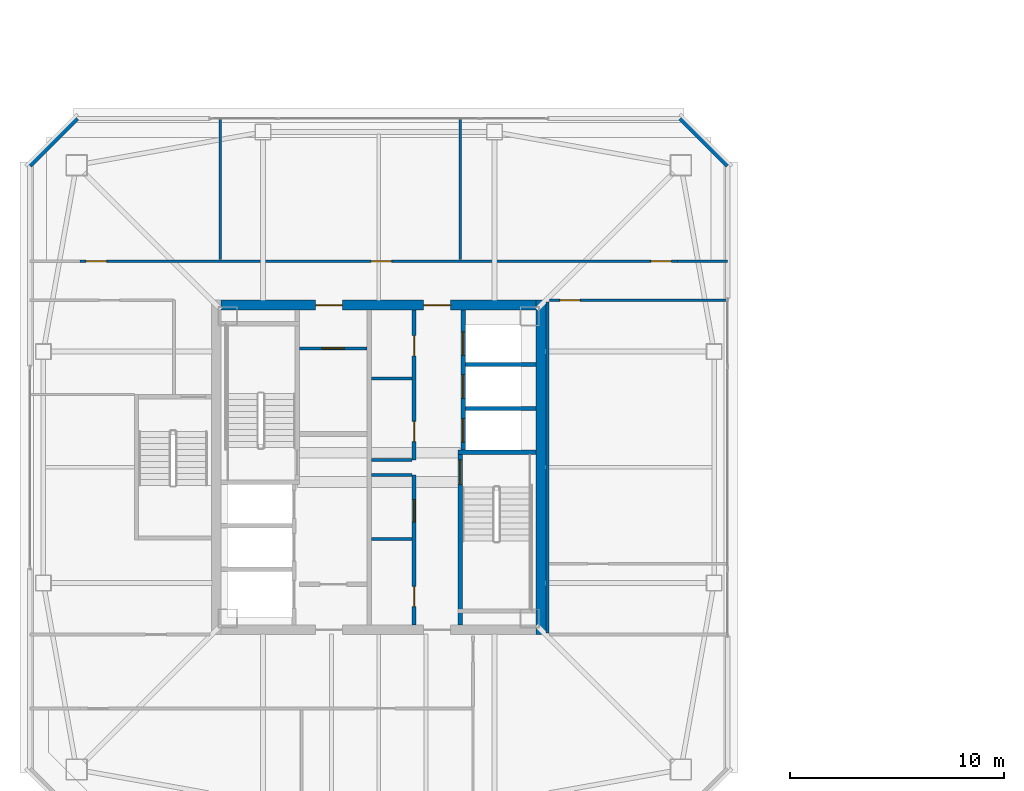
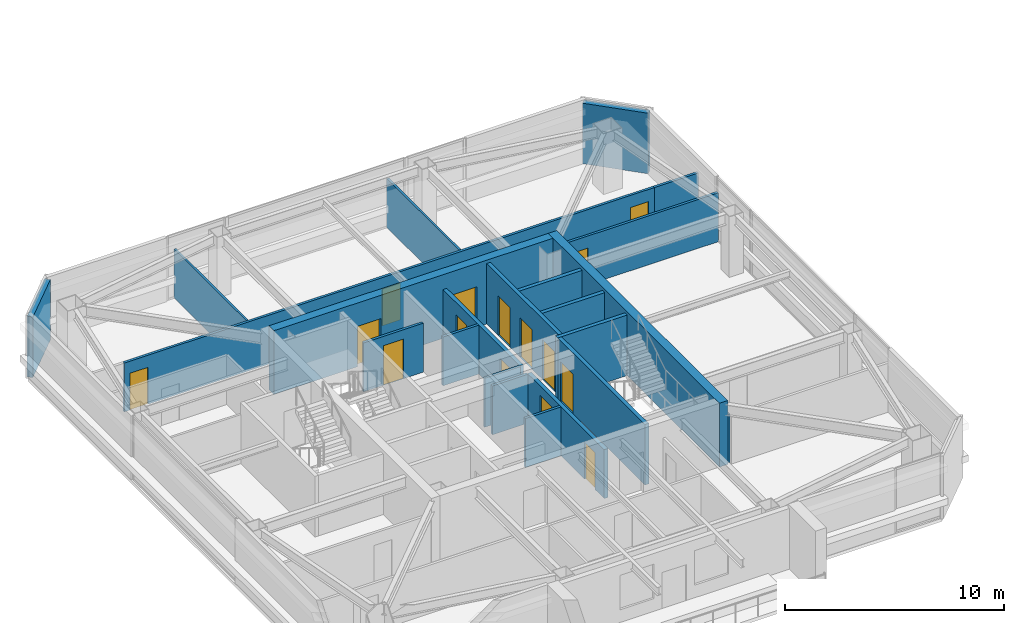
# One storey, part 30 of 40: 22 walls, 15 doors, 15 openings.
"""IFC4 building model written with IfcOpenShell, lengths in metres."""

from ifc_helpers import new_model, si_unit, direction, frame, frame_2d, origin, place, context, subcontext, project, spatial, rectangle, extrude, material, layer, layer_set, type_object, element, fill, save


model = new_model("IFC4")

# Units and contexts
model_context = context("Model", 3, precision=1e-05, world=origin(), true_north=direction((0.0, 1.0)))
body_context = subcontext(model_context, "Body", "Model", "MODEL_VIEW")
ifc_project = project(units=[si_unit("LENGTHUNIT", "METRE"), si_unit("AREAUNIT", "SQUARE_METRE"), si_unit("VOLUMEUNIT", "CUBIC_METRE"), si_unit("PLANEANGLEUNIT", "RADIAN"), si_unit("MASSUNIT", "GRAM", prefix="KILO")], contexts=[model_context])

# Site, building, storey
site_placement = place(None, origin())
site = spatial("IfcSite", under=ifc_project, at=site_placement, CompositionType="ELEMENT")
building_placement = place(site_placement, origin())
building = spatial("IfcBuilding", under=site, at=building_placement, Name="Tashvorn Skyway Center", CompositionType="ELEMENT")
storey_placement = place(building_placement, frame((0.0, 0.0, 221.949951171875)))
storey = spatial("IfcBuildingStorey", under=building, at=storey_placement, Name="L60", CompositionType="ELEMENT", Elevation=221.949951171875)

# Wall
ifc_material_1 = material(Name="Concrete C50/60", Category="concrete")
ifc_layer_1 = layer(ifc_material_1, 0.449951171875)
ifc_layer_set_1 = layer_set([ifc_layer_1], Name="Concrete C50/60")
wall_type_1 = type_object("IfcWallType", Name="WALL-CORE-450", PredefinedType="SHEAR", material=ifc_layer_set_1)
wall_1_placement = place(storey_placement, frame((49.574951171875, 39.800048828125, 0.0), z_axis=(0.0, 0.0, 1.0), x_axis=(0.0, -1.0, 0.0)))
element("IfcWall", 1, at=wall_1_placement, inside=storey, type_object=wall_type_1, Name="Tower 1 L60 East Core Shear Wall", PredefinedType="SHEAR", context=body_context, shape_type="SweptSolid", body=[
    extrude(rectangle(XDim=15.60009765625, YDim=0.449951171875, at=frame_2d((7.800048828125, 0.0))), origin(), (0.0, 0.0, 1.0), 3.550048828125),
])

# Wall, openings, doors
wall_2_placement = place(storey_placement, frame((34.64990234375, 39.574951171875, 0.0), z_axis=(0.0, 0.0, 1.0), x_axis=(1.0, 0.0, 0.0)))
wall_2 = element("IfcWall", 2, at=wall_2_placement, inside=storey, type_object=wall_type_1, Name="Tower 1 L60 North Core Shear Wall", PredefinedType="SHEAR", context=body_context, shape_type="SweptSolid", body=[
    extrude(rectangle(XDim=14.7001953125, YDim=0.449951171875, at=frame_2d((7.35009765625, 0.0))), origin(), (0.0, 0.0, 1.0), 3.550048828125),
])
opening_1_placement = place(wall_2_placement, frame((4.39990234375, 0.0, 0.0)))
opening_1 = element("IfcOpeningElement", 3, at=opening_1_placement, cuts=wall_2, Name="Opening D-FFL-1250", PredefinedType="OPENING", context=body_context, shape_type="SweptSolid", body=[
    extrude(rectangle(XDim=1.25, YDim=2.25, at=frame_2d((0.625, 1.125))), frame((0.0, 0.23486328125, 0.0), z_axis=(0.0, -1.0, 0.0), x_axis=(1.0, 0.0, 0.0)), (0.0, 0.0, 1.0), 0.469970703125),
])
opening_2_placement = place(wall_2_placement, frame((9.449951171875, 0.0, 0.0)))
opening_2 = element("IfcOpeningElement", 4, at=opening_2_placement, cuts=wall_2, Name="Opening D-FFL-1250", PredefinedType="OPENING", context=body_context, shape_type="SweptSolid", body=[
    extrude(rectangle(XDim=1.25, YDim=2.25, at=frame_2d((0.625, 1.125))), frame((0.0, 0.23486328125, 0.0), z_axis=(0.0, -1.0, 0.0), x_axis=(1.0, 0.0, 0.0)), (0.0, 0.0, 1.0), 0.469970703125),
])
ifc_material_2 = material(Name="Hollow galvanized steel fire door assembly", Category="steel")
door_type_1 = type_object("IfcDoorType", Name="DOOR-FFL-1250", OperationType="NOTDEFINED", PredefinedType="DOOR", material=ifc_material_2)
door_1_placement = place(opening_1_placement, origin())
door_1 = element("IfcDoor", 5, at=door_1_placement, inside=storey, type_object=door_type_1, Name="Tower 1 L60 Core North Service Lobby Door", OperationType="SINGLE_SWING_LEFT", OverallHeight=2.25, OverallWidth=1.25, PredefinedType="DOOR", context=body_context, shape_type="SweptSolid", body=[
    extrude(rectangle(XDim=1.25, YDim=2.25, at=frame_2d((0.625, 1.125))), frame((0.0, 0.02490234375, 0.0), z_axis=(0.0, -1.0, 0.0), x_axis=(1.0, 0.0, 0.0)), (0.0, 0.0, 1.0), 0.050048828125),
])
fill(opening_1, door_1)
door_2_placement = place(opening_2_placement, origin())
door_2 = element("IfcDoor", 6, at=door_2_placement, inside=storey, type_object=door_type_1, Name="Tower 1 L60 Core North Lift Lobby Door", OperationType="SINGLE_SWING_RIGHT", OverallHeight=2.25, OverallWidth=1.25, PredefinedType="DOOR", context=body_context, shape_type="SweptSolid", body=[
    extrude(rectangle(XDim=1.25, YDim=2.25, at=frame_2d((0.625, 1.125))), frame((0.0, 0.02490234375, 0.0), z_axis=(0.0, -1.0, 0.0), x_axis=(1.0, 0.0, 0.0)), (0.0, 0.0, 1.0), 0.050048828125),
])
fill(opening_2, door_2)

# Walls
ifc_material_3 = material(Name="Precast concrete C40/50", Category="concrete")
ifc_layer_2 = layer(ifc_material_3, 0.280029296875)
ifc_layer_set_2 = layer_set([ifc_layer_2], Name="Precast concrete C40/50")
wall_type_2 = type_object("IfcWallType", Name="WALL-EXT-280", PredefinedType="SOLIDWALL", material=ifc_layer_set_2)
for number, where, z_axis, x_axis, name in (
    (7, (25.699951171875, 46.10009765625, 0.0), (0.0, 0.0, 1.0), (0.707106781187, 0.707106781187, 0.0), "Tower 1 L60 NW Precast Chamfer Wall"),
    (8, (56.10009765625, 48.300048828125, 0.0), (0.0, 0.0, 1.0), (0.707106781187, -0.707106781187, 0.0), "Tower 1 L60 NE Precast Chamfer Wall"),
):
    element("IfcWall", number, at=place(storey_placement, frame(where, z_axis=z_axis, x_axis=x_axis)), inside=storey, type_object=wall_type_2, Name=name, PredefinedType="SOLIDWALL", context=body_context, shape_type="SweptSolid", body=[
        extrude(rectangle(XDim=3.111083984375, YDim=0.280029296875, at=frame_2d((1.5556640625, 0.0))), origin(), (0.0, 0.0, 1.0), 3.3701171875),
    ])
ifc_material_4 = material(Name="Gypsum board on cold-formed steel stud framing", Category="steel")
ifc_layer_3 = layer(ifc_material_4, 0.110107421875)
ifc_layer_set_3 = layer_set([ifc_layer_3], Name="Gypsum board on cold-formed steel stud framing")
wall_type_3 = type_object("IfcWallType", Name="WALL-PART-110", PredefinedType="PARTITIONING", material=ifc_layer_set_3)
for number, where, z_axis, x_axis, name in (
    (9, (34.60009765625, 41.699951171875, 0.0), (0.0, 0.0, 1.0), (0.0, 1.0, 0.0), "Tower 1 L60 North Suite Partition 1"),
    (10, (45.800048828125, 41.699951171875, 0.0), (0.0, 0.0, 1.0), (0.0, 1.0, 0.0), "Tower 1 L60 North Suite Partition 2"),
):
    element("IfcWall", number, at=place(storey_placement, frame(where, z_axis=z_axis, x_axis=x_axis)), inside=storey, type_object=wall_type_3, Name=name, PredefinedType="PARTITIONING", context=body_context, shape_type="SweptSolid", body=[
        extrude(rectangle(XDim=6.580078125, YDim=0.110107421875, at=frame_2d((3.2900390625, 0.0))), origin(), (0.0, 0.0, 1.0), 2.72314453125),
    ])

# Wall, openings, doors
ifc_layer_4 = layer(ifc_material_4, 0.135009765625)
ifc_layer_set_4 = layer_set([ifc_layer_4], Name="Gypsum board on cold-formed steel stud framing")
wall_type_4 = type_object("IfcWallType", Name="WALL-PART-135", PredefinedType="PARTITIONING", material=ifc_layer_set_4)
wall_3_placement = place(storey_placement, frame((28.050048828125, 41.6201171875, 0.0), z_axis=(0.0, 0.0, 1.0), x_axis=(1.0, 0.0, 0.0)))
wall_3 = element("IfcWall", 11, at=wall_3_placement, inside=storey, type_object=wall_type_4, Name="Tower 1 L60 North Suite Wall", PredefinedType="PARTITIONING", context=body_context, shape_type="SweptSolid", body=[
    extrude(rectangle(XDim=27.89990234375, YDim=0.135009765625, at=frame_2d((13.949951171875, 0.0))), origin(), (0.0, 0.0, 1.0), 2.72314453125),
])
opening_3_placement = place(wall_3_placement, frame((0.300048828125, 0.0, 0.0)))
opening_3 = element("IfcOpeningElement", 12, at=opening_3_placement, cuts=wall_3, Name="Opening D-INT-950", PredefinedType="OPENING", context=body_context, shape_type="SweptSolid", body=[
    extrude(rectangle(XDim=0.949951171875, YDim=2.050048828125, at=frame_2d((0.47509765625, 1.02490234375))), frame((0.0, 0.077392578125, 0.0), z_axis=(0.0, -1.0, 0.0), x_axis=(1.0, 0.0, 0.0)), (0.0, 0.0, 1.0), 0.155029296875),
])
opening_4_placement = place(wall_3_placement, frame((13.5986328125, 0.0, 0.0)))
opening_4 = element("IfcOpeningElement", 13, at=opening_4_placement, cuts=wall_3, Name="Opening D-INT-950", PredefinedType="OPENING", context=body_context, shape_type="SweptSolid", body=[
    extrude(rectangle(XDim=0.949951171875, YDim=2.050048828125, at=frame_2d((0.47509765625, 1.02490234375))), frame((0.0, 0.077392578125, 0.0), z_axis=(0.0, -1.0, 0.0), x_axis=(1.0, 0.0, 0.0)), (0.0, 0.0, 1.0), 0.155029296875),
])
opening_5_placement = place(wall_3_placement, frame((26.64990234375, 0.0, 0.0)))
opening_5 = element("IfcOpeningElement", 14, at=opening_5_placement, cuts=wall_3, Name="Opening D-INT-950", PredefinedType="OPENING", context=body_context, shape_type="SweptSolid", body=[
    extrude(rectangle(XDim=0.949951171875, YDim=2.050048828125, at=frame_2d((0.47509765625, 1.02490234375))), frame((0.0, 0.077392578125, 0.0), z_axis=(0.0, -1.0, 0.0), x_axis=(1.0, 0.0, 0.0)), (0.0, 0.0, 1.0), 0.155029296875),
])
ifc_material_5 = material(Name="Solid-core architectural oak veneer door")
door_type_2 = type_object("IfcDoorType", Name="DOOR-INT-950", OperationType="NOTDEFINED", PredefinedType="DOOR", material=ifc_material_5)
door_3_placement = place(opening_3_placement, origin())
door_3 = element("IfcDoor", 15, at=door_3_placement, inside=storey, type_object=door_type_2, Name="Tower 1 L60 Open Plan Office Door", OperationType="SINGLE_SWING_LEFT", OverallHeight=2.050048828125, OverallWidth=0.949951171875, PredefinedType="DOOR", context=body_context, shape_type="SweptSolid", body=[
    extrude(rectangle(XDim=0.949951171875, YDim=2.050048828125, at=frame_2d((0.47509765625, 1.02490234375))), frame((0.0, 0.02490234375, 0.0), z_axis=(0.0, -1.0, 0.0), x_axis=(1.0, 0.0, 0.0)), (0.0, 0.0, 1.0), 0.050048828125),
])
fill(opening_3, door_3)
door_4_placement = place(opening_4_placement, origin())
door_4 = element("IfcDoor", 16, at=door_4_placement, inside=storey, type_object=door_type_2, Name="Tower 1 L60 Open Plan Office Door", OperationType="SINGLE_SWING_RIGHT", OverallHeight=2.050048828125, OverallWidth=0.949951171875, PredefinedType="DOOR", context=body_context, shape_type="SweptSolid", body=[
    extrude(rectangle(XDim=0.949951171875, YDim=2.050048828125, at=frame_2d((0.47509765625, 1.02490234375))), frame((0.0, 0.02490234375, 0.0), z_axis=(0.0, -1.0, 0.0), x_axis=(1.0, 0.0, 0.0)), (0.0, 0.0, 1.0), 0.050048828125),
])
fill(opening_4, door_4)
door_5_placement = place(opening_5_placement, origin())
door_5 = element("IfcDoor", 17, at=door_5_placement, inside=storey, type_object=door_type_2, Name="Tower 1 L60 Design Studio Door", OperationType="SINGLE_SWING_LEFT", OverallHeight=2.050048828125, OverallWidth=0.949951171875, PredefinedType="DOOR", context=body_context, shape_type="SweptSolid", body=[
    extrude(rectangle(XDim=0.949951171875, YDim=2.050048828125, at=frame_2d((0.47509765625, 1.02490234375))), frame((0.0, 0.02490234375, 0.0), z_axis=(0.0, -1.0, 0.0), x_axis=(1.0, 0.0, 0.0)), (0.0, 0.0, 1.0), 0.050048828125),
])
fill(opening_5, door_5)

# Walls
wall_4_placement = place(storey_placement, frame((55.949951171875, 41.6201171875, 0.0), z_axis=(0.0, 0.0, 1.0), x_axis=(1.0, 0.0, 0.0)))
element("IfcWall", 18, at=wall_4_placement, inside=storey, type_object=wall_type_4, Name="Tower 1 L60 North-East Suite South Wall", PredefinedType="PARTITIONING", context=body_context, shape_type="SweptSolid", body=[
    extrude(rectangle(XDim=2.330078125, YDim=0.135009765625, at=frame_2d((1.1650390625, 0.0))), origin(), (0.0, 0.0, 1.0), 2.72314453125),
])
wall_5_placement = place(storey_placement, frame((49.8798828125, 39.719970703125, 0.0), z_axis=(0.0, 0.0, 1.0), x_axis=(0.0, -1.0, 0.0)))
element("IfcWall", 19, at=wall_5_placement, inside=storey, type_object=wall_type_4, Name="Tower 1 L60 East Inner Suite Wall", PredefinedType="PARTITIONING", context=body_context, shape_type="SweptSolid", body=[
    extrude(rectangle(XDim=15.43994140625, YDim=0.135009765625, at=frame_2d((7.719970703125, 0.0))), origin(), (0.0, 0.0, 1.0), 2.72314453125),
])

# Wall, opening, door
wall_6_placement = place(storey_placement, frame((58.280029296875, 39.800048828125, 0.0), z_axis=(0.0, 0.0, 1.0), x_axis=(-1.0, 0.0, 0.0)))
wall_6 = element("IfcWall", 20, at=wall_6_placement, inside=storey, type_object=wall_type_4, Name="Tower 1 L60 East Suite North Wall", PredefinedType="PARTITIONING", context=body_context, shape_type="SweptSolid", body=[
    extrude(rectangle(XDim=8.320068359375, YDim=0.135009765625, at=frame_2d((4.16015625, 0.0))), origin(), (0.0, 0.0, 1.0), 2.72314453125),
])
opening_6_placement = place(wall_6_placement, frame((6.8798828125, 0.0, 0.0)))
opening_6 = element("IfcOpeningElement", 21, at=opening_6_placement, cuts=wall_6, Name="Opening D-INT-950", PredefinedType="OPENING", context=body_context, shape_type="SweptSolid", body=[
    extrude(rectangle(XDim=0.949951171875, YDim=2.050048828125, at=frame_2d((0.47509765625, 1.02490234375))), frame((0.0, 0.077392578125, 0.0), z_axis=(0.0, -1.0, 0.0), x_axis=(1.0, 0.0, 0.0)), (0.0, 0.0, 1.0), 0.155029296875),
])
door_6_placement = place(opening_6_placement, origin())
door_6 = element("IfcDoor", 22, at=door_6_placement, inside=storey, type_object=door_type_2, Name="Tower 1 L60 Executive Study Lounge Door", OperationType="SINGLE_SWING_LEFT", OverallHeight=2.050048828125, OverallWidth=0.949951171875, PredefinedType="DOOR", context=body_context, shape_type="SweptSolid", body=[
    extrude(rectangle(XDim=0.949951171875, YDim=2.050048828125, at=frame_2d((0.47509765625, 1.02490234375))), frame((0.0, 0.02490234375, 0.0), z_axis=(0.0, -1.0, 0.0), x_axis=(1.0, 0.0, 0.0)), (0.0, 0.0, 1.0), 0.050048828125),
])
fill(opening_6, door_6)

ifc_layer_5 = layer(ifc_material_4, 0.135009765625)
ifc_layer_set_5 = layer_set([ifc_layer_5], Name="Gypsum board on cold-formed steel stud framing")
wall_type_5 = type_object("IfcWallType", Name="WALL-RATED-135", PredefinedType="PARTITIONING", material=ifc_layer_set_5)
wall_7_placement = place(storey_placement, frame((38.300048828125, 37.550048828125, 0.0), z_axis=(0.0, 0.0, 1.0), x_axis=(1.0, 0.0, 0.0)))
wall_7 = element("IfcWall", 23, at=wall_7_placement, inside=storey, type_object=wall_type_5, Name="Tower 1 L60 Core Service Lobby Wall", PredefinedType="PARTITIONING", context=body_context, shape_type="SweptSolid", body=[
    extrude(rectangle(XDim=3.14990234375, YDim=0.135009765625, at=frame_2d((1.574951171875, 0.0))), origin(), (0.0, 0.0, 1.0), 2.72314453125),
])
opening_7_placement = place(wall_7_placement, frame((1.050048828125, 0.0, 0.0)))
opening_7 = element("IfcOpeningElement", 24, at=opening_7_placement, cuts=wall_7, Name="Opening D-RT-1050", PredefinedType="OPENING", context=body_context, shape_type="SweptSolid", body=[
    extrude(rectangle(XDim=1.050048828125, YDim=2.199951171875, at=frame_2d((0.52490234375, 1.10009765625))), frame((0.0, 0.077392578125, 0.0), z_axis=(0.0, -1.0, 0.0), x_axis=(1.0, 0.0, 0.0)), (0.0, 0.0, 1.0), 0.155029296875),
])
door_type_3 = type_object("IfcDoorType", Name="DOOR-RATED-1050", OperationType="NOTDEFINED", PredefinedType="DOOR", material=ifc_material_2)
door_7_placement = place(opening_7_placement, origin())
door_7 = element("IfcDoor", 25, at=door_7_placement, inside=storey, type_object=door_type_3, Name="Tower 1 L60 Core Accessible WC Door", OperationType="SINGLE_SWING_LEFT", OverallHeight=2.199951171875, OverallWidth=1.050048828125, PredefinedType="DOOR", context=body_context, shape_type="SweptSolid", body=[
    extrude(rectangle(XDim=1.050048828125, YDim=2.199951171875, at=frame_2d((0.52490234375, 1.10009765625))), frame((0.0, 0.02490234375, 0.0), z_axis=(0.0, -1.0, 0.0), x_axis=(1.0, 0.0, 0.0)), (0.0, 0.0, 1.0), 0.050048828125),
])
fill(opening_7, door_7)

# Walls
for number, where, z_axis, x_axis, name in (
    (26, (41.669921875, 31.64990234375, 0.0), (0.0, 0.0, 1.0), (1.0, 0.0, 0.0), "Tower 1 L60 Core Room Partition"),
    (27, (41.669921875, 28.64990234375, 0.0), (0.0, 0.0, 1.0), (1.0, 0.0, 0.0), "Tower 1 L60 Freed Core Partition"),
    (28, (41.669921875, 32.35009765625, 0.0), (0.0, 0.0, 1.0), (1.0, 0.0, 0.0), "Tower 1 L60 Core Room Partition"),
    (29, (41.669921875, 36.14990234375, 0.0), (0.0, 0.0, 1.0), (1.0, 0.0, 0.0), "Tower 1 L60 Freed Mid-Rise Partition"),
):
    element("IfcWall", number, at=place(storey_placement, frame(where, z_axis=z_axis, x_axis=x_axis)), inside=storey, type_object=wall_type_5, Name=name, PredefinedType="PARTITIONING", context=body_context, shape_type="SweptSolid", body=[
        extrude(rectangle(XDim=1.880126953125, YDim=0.135009765625, at=frame_2d((0.93994140625, 0.0))), origin(), (0.0, 0.0, 1.0), 2.72314453125),
    ])
ifc_material_6 = material(Name="Concrete C40/50", Category="concrete")
ifc_layer_6 = layer(ifc_material_6, 0.199951171875)
ifc_layer_set_6 = layer_set([ifc_layer_6], Name="Concrete C40/50")
wall_type_6 = type_object("IfcWallType", Name="WALL-SHAFT-200", PredefinedType="SOLIDWALL", material=ifc_layer_set_6)
for number, where, z_axis, x_axis, name in (
    (30, (46.050048828125, 34.75, 0.0), (0.0, 0.0, 1.0), (1.0, 0.0, 0.0), "Tower 1 L60 High-Rise Shaft Divider"),
    (31, (46.050048828125, 36.800048828125, 0.0), (0.0, 0.0, 1.0), (1.0, 0.0, 0.0), "Tower 1 L60 High-Rise Shaft Divider"),
):
    element("IfcWall", number, at=place(storey_placement, frame(where, z_axis=z_axis, x_axis=x_axis)), inside=storey, type_object=wall_type_6, Name=name, PredefinedType="SOLIDWALL", context=body_context, shape_type="SweptSolid", body=[
        extrude(rectangle(XDim=3.300048828125, YDim=0.199951171875, at=frame_2d((1.64990234375, 0.0))), origin(), (0.0, 0.0, 1.0), 3.3701171875),
    ])

# Wall, openings, doors
wall_8_placement = place(storey_placement, frame((43.64990234375, 24.64990234375, 0.0), z_axis=(0.0, 0.0, 1.0), x_axis=(0.0, 1.0, 0.0)))
wall_8 = element("IfcWall", 32, at=wall_8_placement, inside=storey, type_object=wall_type_6, Name="Tower 1 L60 Low-Rise Core Wall", PredefinedType="SOLIDWALL", context=body_context, shape_type="SweptSolid", body=[
    extrude(rectangle(XDim=7.0, YDim=0.199951171875, at=frame_2d((3.5, 0.0))), origin(), (0.0, 0.0, 1.0), 2.72314453125),
])
opening_8_placement = place(wall_8_placement, frame((0.85009765625, 0.0, 0.0)))
opening_8 = element("IfcOpeningElement", 33, at=opening_8_placement, cuts=wall_8, Name="Opening D-RT-950", PredefinedType="OPENING", context=body_context, shape_type="SweptSolid", body=[
    extrude(rectangle(XDim=0.949951171875, YDim=2.050048828125, at=frame_2d((0.47509765625, 1.02490234375))), frame((0.0, 0.10986328125, 0.0), z_axis=(0.0, -1.0, 0.0), x_axis=(1.0, 0.0, 0.0)), (0.0, 0.0, 1.0), 0.219970703125),
])
opening_9_placement = place(wall_8_placement, frame((4.800048828125, 0.0, 0.0)))
opening_9 = element("IfcOpeningElement", 34, at=opening_9_placement, cuts=wall_8, Name="Opening D-RT-1050", PredefinedType="OPENING", context=body_context, shape_type="SweptSolid", body=[
    extrude(rectangle(XDim=1.050048828125, YDim=2.199951171875, at=frame_2d((0.52490234375, 1.10009765625))), frame((0.0, 0.10986328125, 0.0), z_axis=(0.0, -1.0, 0.0), x_axis=(1.0, 0.0, 0.0)), (0.0, 0.0, 1.0), 0.219970703125),
])
door_8_placement = place(opening_9_placement, origin())
door_8 = element("IfcDoor", 35, at=door_8_placement, inside=storey, type_object=door_type_3, Name="Tower 1 L60 Freed Core Room Door", OperationType="SINGLE_SWING_RIGHT", OverallHeight=2.199951171875, OverallWidth=1.050048828125, PredefinedType="DOOR", context=body_context, shape_type="SweptSolid", body=[
    extrude(rectangle(XDim=1.050048828125, YDim=2.199951171875, at=frame_2d((0.52490234375, 1.10009765625))), frame((0.0, 0.02490234375, 0.0), z_axis=(0.0, -1.0, 0.0), x_axis=(1.0, 0.0, 0.0)), (0.0, 0.0, 1.0), 0.050048828125),
])
fill(opening_9, door_8)
door_type_4 = type_object("IfcDoorType", Name="DOOR-RATED-950", OperationType="NOTDEFINED", PredefinedType="DOOR", material=ifc_material_2)
door_9_placement = place(opening_8_placement, origin())
door_9 = element("IfcDoor", 36, at=door_9_placement, inside=storey, type_object=door_type_4, Name="Tower 1 L60 Core Print Room Door", OperationType="SINGLE_SWING_LEFT", OverallHeight=2.050048828125, OverallWidth=0.949951171875, PredefinedType="DOOR", context=body_context, shape_type="SweptSolid", body=[
    extrude(rectangle(XDim=0.949951171875, YDim=2.050048828125, at=frame_2d((0.47509765625, 1.02490234375))), frame((0.0, 0.02490234375, 0.0), z_axis=(0.0, -1.0, 0.0), x_axis=(1.0, 0.0, 0.0)), (0.0, 0.0, 1.0), 0.050048828125),
])
fill(opening_8, door_9)

wall_9_placement = place(storey_placement, frame((43.64990234375, 32.35009765625, 0.0), z_axis=(0.0, 0.0, 1.0), x_axis=(0.0, 1.0, 0.0)))
wall_9 = element("IfcWall", 37, at=wall_9_placement, inside=storey, type_object=wall_type_6, Name="Tower 1 L60 Mid-Rise Core Wall", PredefinedType="SOLIDWALL", context=body_context, shape_type="SweptSolid", body=[
    extrude(rectangle(XDim=7.0, YDim=0.199951171875, at=frame_2d((3.5, 0.0))), origin(), (0.0, 0.0, 1.0), 2.72314453125),
])
opening_10_placement = place(wall_9_placement, frame((0.85009765625, 0.0, 0.0)))
opening_10 = element("IfcOpeningElement", 38, at=opening_10_placement, cuts=wall_9, Name="Opening D-RT-950", PredefinedType="OPENING", context=body_context, shape_type="SweptSolid", body=[
    extrude(rectangle(XDim=0.949951171875, YDim=2.050048828125, at=frame_2d((0.47509765625, 1.02490234375))), frame((0.0, 0.10986328125, 0.0), z_axis=(0.0, -1.0, 0.0), x_axis=(1.0, 0.0, 0.0)), (0.0, 0.0, 1.0), 0.219970703125),
])
opening_11_placement = place(wall_9_placement, frame((4.85009765625, 0.0, 0.0)))
opening_11 = element("IfcOpeningElement", 39, at=opening_11_placement, cuts=wall_9, Name="Opening D-RT-950", PredefinedType="OPENING", context=body_context, shape_type="SweptSolid", body=[
    extrude(rectangle(XDim=0.949951171875, YDim=2.050048828125, at=frame_2d((0.47509765625, 1.02490234375))), frame((0.0, 0.10986328125, 0.0), z_axis=(0.0, -1.0, 0.0), x_axis=(1.0, 0.0, 0.0)), (0.0, 0.0, 1.0), 0.219970703125),
])
door_10_placement = place(opening_10_placement, origin())
door_10 = element("IfcDoor", 40, at=door_10_placement, inside=storey, type_object=door_type_4, Name="Tower 1 L60 Core IT Room Door", OperationType="SINGLE_SWING_RIGHT", OverallHeight=2.050048828125, OverallWidth=0.949951171875, PredefinedType="DOOR", context=body_context, shape_type="SweptSolid", body=[
    extrude(rectangle(XDim=0.949951171875, YDim=2.050048828125, at=frame_2d((0.47509765625, 1.02490234375))), frame((0.0, 0.02490234375, 0.0), z_axis=(0.0, -1.0, 0.0), x_axis=(1.0, 0.0, 0.0)), (0.0, 0.0, 1.0), 0.050048828125),
])
fill(opening_10, door_10)
door_11_placement = place(opening_11_placement, origin())
door_11 = element("IfcDoor", 41, at=door_11_placement, inside=storey, type_object=door_type_4, Name="Tower 1 L60 Core Catering Pantry Door", OperationType="SINGLE_SWING_LEFT", OverallHeight=2.050048828125, OverallWidth=0.949951171875, PredefinedType="DOOR", context=body_context, shape_type="SweptSolid", body=[
    extrude(rectangle(XDim=0.949951171875, YDim=2.050048828125, at=frame_2d((0.47509765625, 1.02490234375))), frame((0.0, 0.02490234375, 0.0), z_axis=(0.0, -1.0, 0.0), x_axis=(1.0, 0.0, 0.0)), (0.0, 0.0, 1.0), 0.050048828125),
])
fill(opening_11, door_11)

# Wall, opening, door
ifc_layer_7 = layer(ifc_material_6, 0.199951171875)
ifc_layer_set_7 = layer_set([ifc_layer_7], Name="Concrete C40/50")
wall_type_7 = type_object("IfcWallType", Name="WALL-STSHF-200", PredefinedType="SHEAR", material=ifc_layer_set_7)
wall_10_placement = place(storey_placement, frame((45.800048828125, 32.800048828125, 0.0), z_axis=(0.0, 0.0, 1.0), x_axis=(0.0, -1.0, 0.0)))
wall_10 = element("IfcWall", 42, at=wall_10_placement, inside=storey, type_object=wall_type_7, Name="Tower 1 L60 Stair 2 Enclosure Wall", PredefinedType="SHEAR", context=body_context, shape_type="SweptSolid", body=[
    extrude(rectangle(XDim=8.150146484375, YDim=0.199951171875, at=frame_2d((4.0751953125, 0.0))), origin(), (0.0, 0.0, 1.0), 3.3701171875),
])
opening_12_placement = place(wall_10_placement, frame((0.449951171875, 0.0, 0.0)))
opening_12 = element("IfcOpeningElement", 43, at=opening_12_placement, cuts=wall_10, Name="Opening D-ST-1150", PredefinedType="OPENING", context=body_context, shape_type="SweptSolid", body=[
    extrude(rectangle(XDim=1.14990234375, YDim=2.199951171875, at=frame_2d((0.574951171875, 1.10009765625))), frame((0.0, 0.10986328125, 0.0), z_axis=(0.0, -1.0, 0.0), x_axis=(1.0, 0.0, 0.0)), (0.0, 0.0, 1.0), 0.219970703125),
])
door_type_5 = type_object("IfcDoorType", Name="DOOR-STAIR-1150", OperationType="NOTDEFINED", PredefinedType="DOOR", material=ifc_material_2)
door_12_placement = place(opening_12_placement, origin())
door_12 = element("IfcDoor", 44, at=door_12_placement, inside=storey, type_object=door_type_5, Name="Tower 1 L60 Exit Stair 2 Door", OperationType="SINGLE_SWING_RIGHT", OverallHeight=2.199951171875, OverallWidth=1.14990234375, PredefinedType="DOOR", context=body_context, shape_type="SweptSolid", body=[
    extrude(rectangle(XDim=1.14990234375, YDim=2.199951171875, at=frame_2d((0.574951171875, 1.10009765625))), frame((0.0, 0.02490234375, 0.0), z_axis=(0.0, -1.0, 0.0), x_axis=(1.0, 0.0, 0.0)), (0.0, 0.0, 1.0), 0.050048828125),
])
fill(opening_12, door_12)

# Wall
wall_11_placement = place(storey_placement, frame((45.699951171875, 32.699951171875, 0.0), z_axis=(0.0, 0.0, 1.0), x_axis=(1.0, 0.0, 0.0)))
element("IfcWall", 45, at=wall_11_placement, inside=storey, type_object=wall_type_7, Name="Tower 1 L60 Stair 2 North Wall", PredefinedType="SHEAR", context=body_context, shape_type="SweptSolid", body=[
    extrude(rectangle(XDim=3.650146484375, YDim=0.199951171875, at=frame_2d((1.8251953125, 0.0))), origin(), (0.0, 0.0, 1.0), 3.3701171875),
])

# Wall, openings, doors
wall_12_placement = place(storey_placement, frame((45.949951171875, 39.35009765625, 0.0), z_axis=(0.0, 0.0, 1.0), x_axis=(0.0, -1.0, 0.0)))
wall_12 = element("IfcWall", 46, at=wall_12_placement, inside=storey, type_object=wall_type_7, Name="Tower 1 L60 High-Rise Lift Shaft Front Wall", PredefinedType="SHEAR", context=body_context, shape_type="SweptSolid", body=[
    extrude(rectangle(XDim=6.550048828125, YDim=0.199951171875, at=frame_2d((3.27490234375, 0.0))), origin(), (0.0, 0.0, 1.0), 3.3701171875),
])
opening_13_placement = place(wall_12_placement, frame((5.074951171875, 0.0, 0.0)))
opening_13 = element("IfcOpeningElement", 47, at=opening_13_placement, cuts=wall_12, Name="Opening LD-HR-T1-1-L60", PredefinedType="OPENING", context=body_context, shape_type="SweptSolid", body=[
    extrude(rectangle(XDim=1.10009765625, YDim=2.199951171875, at=frame_2d((0.550048828125, 1.10009765625))), frame((0.0, 0.10986328125, 0.0), z_axis=(0.0, -1.0, 0.0), x_axis=(1.0, 0.0, 0.0)), (0.0, 0.0, 1.0), 0.219970703125),
])
opening_14_placement = place(wall_12_placement, frame((3.02490234375, 0.0, 0.0)))
opening_14 = element("IfcOpeningElement", 48, at=opening_14_placement, cuts=wall_12, Name="Opening LD-HR-T1-2-L60", PredefinedType="OPENING", context=body_context, shape_type="SweptSolid", body=[
    extrude(rectangle(XDim=1.10009765625, YDim=2.199951171875, at=frame_2d((0.550048828125, 1.10009765625))), frame((0.0, 0.10986328125, 0.0), z_axis=(0.0, -1.0, 0.0), x_axis=(1.0, 0.0, 0.0)), (0.0, 0.0, 1.0), 0.219970703125),
])
opening_15_placement = place(wall_12_placement, frame((1.02490234375, 0.0, 0.0)))
opening_15 = element("IfcOpeningElement", 49, at=opening_15_placement, cuts=wall_12, Name="Opening LD-HR-T1-3-L60", PredefinedType="OPENING", context=body_context, shape_type="SweptSolid", body=[
    extrude(rectangle(XDim=1.10009765625, YDim=2.199951171875, at=frame_2d((0.550048828125, 1.10009765625))), frame((0.0, 0.10986328125, 0.0), z_axis=(0.0, -1.0, 0.0), x_axis=(1.0, 0.0, 0.0)), (0.0, 0.0, 1.0), 0.219970703125),
])
ifc_material_7 = material(Name="Stainless steel landing door", Category="steel")
door_type_6 = type_object("IfcDoorType", Name="DOOR-LIFT-1100", OperationType="SLIDING_TO_LEFT", PredefinedType="DOOR", material=ifc_material_7)
door_13_placement = place(opening_13_placement, origin())
door_13 = element("IfcDoor", 50, at=door_13_placement, inside=storey, type_object=door_type_6, Name="Lift HR-T1-1 L60 Landing Door", OperationType="SLIDING_TO_LEFT", OverallHeight=2.199951171875, OverallWidth=1.10009765625, PredefinedType="DOOR", context=body_context, shape_type="SweptSolid", body=[
    extrude(rectangle(XDim=1.10009765625, YDim=2.199951171875, at=frame_2d((0.550048828125, 1.10009765625))), frame((0.0, 0.02490234375, 0.0), z_axis=(0.0, -1.0, 0.0), x_axis=(1.0, 0.0, 0.0)), (0.0, 0.0, 1.0), 0.050048828125),
])
fill(opening_13, door_13)
door_14_placement = place(opening_14_placement, origin())
door_14 = element("IfcDoor", 51, at=door_14_placement, inside=storey, type_object=door_type_6, Name="Lift HR-T1-2 L60 Landing Door", OperationType="SLIDING_TO_LEFT", OverallHeight=2.199951171875, OverallWidth=1.10009765625, PredefinedType="DOOR", context=body_context, shape_type="SweptSolid", body=[
    extrude(rectangle(XDim=1.10009765625, YDim=2.199951171875, at=frame_2d((0.550048828125, 1.10009765625))), frame((0.0, 0.02490234375, 0.0), z_axis=(0.0, -1.0, 0.0), x_axis=(1.0, 0.0, 0.0)), (0.0, 0.0, 1.0), 0.050048828125),
])
fill(opening_14, door_14)
door_15_placement = place(opening_15_placement, origin())
door_15 = element("IfcDoor", 52, at=door_15_placement, inside=storey, type_object=door_type_6, Name="Lift HR-T1-3 L60 Landing Door", OperationType="SLIDING_TO_LEFT", OverallHeight=2.199951171875, OverallWidth=1.10009765625, PredefinedType="DOOR", context=body_context, shape_type="SweptSolid", body=[
    extrude(rectangle(XDim=1.10009765625, YDim=2.199951171875, at=frame_2d((0.550048828125, 1.10009765625))), frame((0.0, 0.02490234375, 0.0), z_axis=(0.0, -1.0, 0.0), x_axis=(1.0, 0.0, 0.0)), (0.0, 0.0, 1.0), 0.050048828125),
])
fill(opening_15, door_15)

save(model, "model.ifc")
